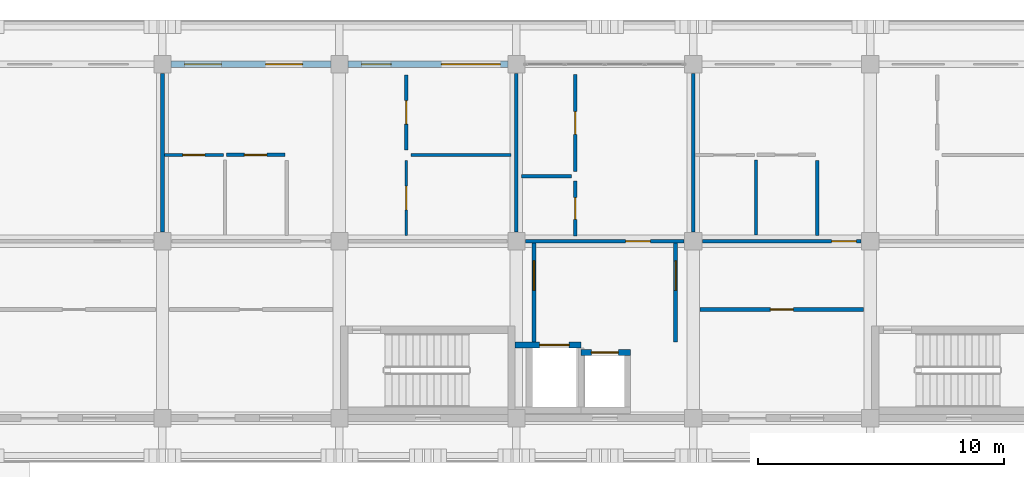
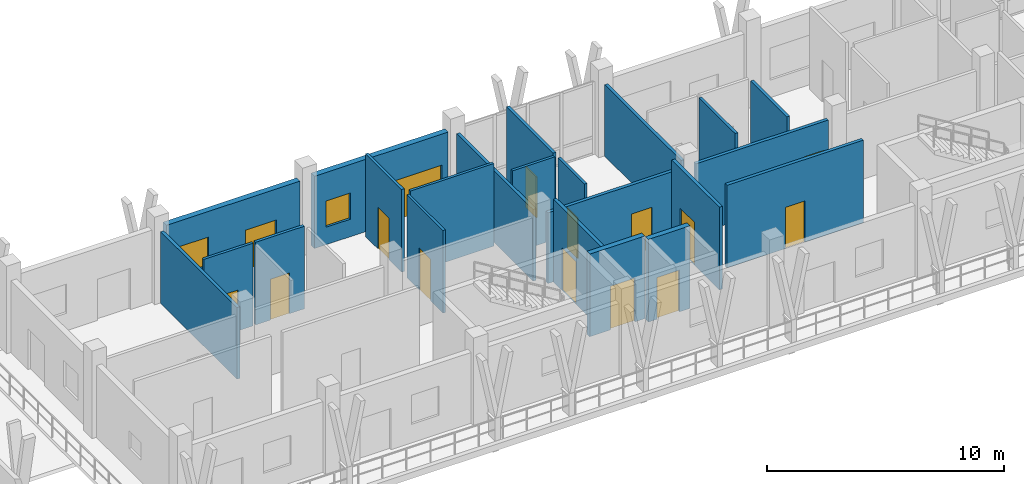
# One storey, part 88 of 110: 22 walls, 15 doors, 2 windows, 17 openings.
"""IFC4 building model written with IfcOpenShell, lengths in metres."""

from ifc_helpers import new_model, si_unit, direction, frame, frame_2d, origin, place, context, subcontext, project, spatial, rectangle, extrude, material, layer, layer_set, type_object, element, fill, save


model = new_model("IFC4")

# Units and contexts
model_context = context("Model", 3, precision=1e-05, world=origin(), true_north=direction((0.0, 1.0)))
body_context = subcontext(model_context, "Body", "Model", "MODEL_VIEW")
ifc_project = project(units=[si_unit("LENGTHUNIT", "METRE"), si_unit("AREAUNIT", "SQUARE_METRE"), si_unit("VOLUMEUNIT", "CUBIC_METRE"), si_unit("PLANEANGLEUNIT", "RADIAN"), si_unit("MASSUNIT", "GRAM", prefix="KILO")], contexts=[model_context])

# Site, building, storey
site_placement = place(None, origin())
site = spatial("IfcSite", under=ifc_project, at=site_placement, CompositionType="ELEMENT")
building_placement = place(site_placement, origin())
building = spatial("IfcBuilding", under=site, at=building_placement, Name="Suanplinth Sawtooth Commons", CompositionType="ELEMENT")
storey_placement = place(building_placement, frame((0.0, 0.0, 4.5)))
storey = spatial("IfcBuildingStorey", under=building, at=storey_placement, Name="L01", CompositionType="ELEMENT", Elevation=4.5)

# Wall, openings, door, window
ifc_material_1 = material(Name="Precast concrete C40/50", Category="concrete")
ifc_layer_1 = layer(ifc_material_1, 0.280029296875, Name="Insulated precast architectural facade wall 280mm")
ifc_layer_set_1 = layer_set([ifc_layer_1], Name="Precast concrete C40/50")
wall_type_1 = type_object("IfcWallType", Name="W-EX01", PredefinedType="ELEMENTEDWALL", material=ifc_layer_set_1)
wall_1_placement = place(storey_placement, frame((129.949951171875, 122.39990234375, 0.0), z_axis=(0.0, 0.0, 1.0), x_axis=(1.0, 0.0, 0.0)))
wall_1 = element("IfcWall", 1, at=wall_1_placement, inside=storey, type_object=wall_type_1, Name="Facade Wall W-L01-B-N-18-16", PredefinedType="ELEMENTEDWALL", context=body_context, shape_type="SweptSolid", body=[
    extrude(rectangle(XDim=6.5, YDim=0.280029296875, at=frame_2d((3.25, 0.0))), origin(), (0.0, 0.0, 1.0), 3.715087890625),
])
opening_1_placement = place(wall_1_placement, frame((3.85009765625, 0.0, 0.0)))
opening_1 = element("IfcOpeningElement", 2, at=opening_1_placement, cuts=wall_1, Name="Opening ED0069", PredefinedType="OPENING", context=body_context, shape_type="SweptSolid", body=[
    extrude(rectangle(XDim=1.5, YDim=2.1201171875, at=frame_2d((0.75, 1.06005859375))), frame((0.0, 0.15478515625, 0.0), z_axis=(0.0, -1.0, 0.0), x_axis=(1.0, 0.0, 0.0)), (0.0, 0.0, 1.0), 0.309814453125),
])
opening_2_placement = place(wall_1_placement, frame((0.550048828125, 0.0, 0.89990234375)))
opening_2 = element("IfcOpeningElement", 3, at=opening_2_placement, cuts=wall_1, Name="Opening W0191", PredefinedType="OPENING", context=body_context, shape_type="SweptSolid", body=[
    extrude(rectangle(XDim=1.5, YDim=1.5, at=frame_2d((0.75, 0.75))), frame((0.0, 0.15478515625, 0.0), z_axis=(0.0, -1.0, 0.0), x_axis=(1.0, 0.0, 0.0)), (0.0, 0.0, 1.0), 0.309814453125),
])
ifc_material_2 = material(Name="Anodized aluminium and low-E glass", Category="aluminium")
door_type_1 = type_object("IfcDoorType", Name="SD-03", OperationType="SLIDING_TO_LEFT", PredefinedType="DOOR", material=ifc_material_2)
door_1_placement = place(opening_1_placement, frame((1.5, 0.0, 0.0), z_axis=(0.0, 0.0, 1.0), x_axis=(-1.0, 0.0, 0.0)))
door_1 = element("IfcDoor", 4, at=door_1_placement, inside=storey, type_object=door_type_1, Name="Balcony Sliding Door L01-B-18", OperationType="SLIDING_TO_LEFT", OverallHeight=2.1201171875, OverallWidth=1.5, PredefinedType="DOOR", context=body_context, shape_type="SweptSolid", body=[
    extrude(rectangle(XDim=1.5, YDim=2.1201171875, at=frame_2d((0.75, 1.06005859375))), frame((0.0, 0.02490234375, 0.0), z_axis=(0.0, -1.0, 0.0), x_axis=(1.0, 0.0, 0.0)), (0.0, 0.0, 1.0), 0.050048828125),
])
fill(opening_1, door_1)
ifc_material_3 = material(Name="Thermally broken aluminium and low-E double glazing", Category="aluminium")
window_type_1 = type_object("IfcWindowType", Name="WN-02", PartitioningType="DOUBLE_PANEL_VERTICAL", PredefinedType="WINDOW", material=ifc_material_3)
window_1_placement = place(opening_2_placement, origin())
window_1 = element("IfcWindow", 5, at=window_1_placement, inside=storey, type_object=window_type_1, Name="Apartment Window L01-B-18", OverallHeight=1.5, OverallWidth=1.5, PartitioningType="DOUBLE_PANEL_VERTICAL", PredefinedType="WINDOW", context=body_context, shape_type="SweptSolid", body=[
    extrude(rectangle(XDim=1.5, YDim=1.5, at=frame_2d((0.75, 0.75))), frame((0.0, 0.030029296875, 0.0), z_axis=(0.0, -1.0, 0.0), x_axis=(1.0, 0.0, 0.0)), (0.0, 0.0, 1.0), 0.06005859375),
])
fill(opening_2, window_1)

wall_2_placement = place(storey_placement, frame((137.14990234375, 122.39990234375, 0.0), z_axis=(0.0, 0.0, 1.0), x_axis=(1.0, 0.0, 0.0)))
wall_2 = element("IfcWall", 6, at=wall_2_placement, inside=storey, type_object=wall_type_1, Name="Facade Wall W-L01-B-N-19-16", PredefinedType="ELEMENTEDWALL", context=body_context, shape_type="SweptSolid", body=[
    extrude(rectangle(XDim=6.5, YDim=0.280029296875, at=frame_2d((3.25, 0.0))), origin(), (0.0, 0.0, 1.0), 3.715087890625),
])
opening_3_placement = place(wall_2_placement, frame((3.800048828125, 0.0, 0.0)))
opening_3 = element("IfcOpeningElement", 7, at=opening_3_placement, cuts=wall_2, Name="Opening ED0070", PredefinedType="OPENING", context=body_context, shape_type="SweptSolid", body=[
    extrude(rectangle(XDim=2.39990234375, YDim=2.1201171875, at=frame_2d((1.199951171875, 1.06005859375))), frame((0.0, 0.15478515625, 0.0), z_axis=(0.0, -1.0, 0.0), x_axis=(1.0, 0.0, 0.0)), (0.0, 0.0, 1.0), 0.309814453125),
])
opening_4_placement = place(wall_2_placement, frame((0.550048828125, 0.0, 0.89990234375)))
opening_4 = element("IfcOpeningElement", 8, at=opening_4_placement, cuts=wall_2, Name="Opening W0193", PredefinedType="OPENING", context=body_context, shape_type="SweptSolid", body=[
    extrude(rectangle(XDim=1.199951171875, YDim=1.35009765625, at=frame_2d((0.60009765625, 0.675048828125))), frame((0.0, 0.15478515625, 0.0), z_axis=(0.0, -1.0, 0.0), x_axis=(1.0, 0.0, 0.0)), (0.0, 0.0, 1.0), 0.309814453125),
])
door_type_2 = type_object("IfcDoorType", Name="SD-04", OperationType="DOUBLE_DOOR_SLIDING", PredefinedType="DOOR", material=ifc_material_2)
door_2_placement = place(opening_3_placement, frame((2.39990234375, 0.0, 0.0), z_axis=(0.0, 0.0, 1.0), x_axis=(-1.0, 0.0, 0.0)))
door_2 = element("IfcDoor", 9, at=door_2_placement, inside=storey, type_object=door_type_2, Name="Balcony Sliding Door L01-B-19", OperationType="DOUBLE_DOOR_SLIDING", OverallHeight=2.1201171875, OverallWidth=2.39990234375, PredefinedType="DOOR", context=body_context, shape_type="SweptSolid", body=[
    extrude(rectangle(XDim=2.39990234375, YDim=2.1201171875, at=frame_2d((1.199951171875, 1.06005859375))), frame((0.0, 0.02490234375, 0.0), z_axis=(0.0, -1.0, 0.0), x_axis=(1.0, 0.0, 0.0)), (0.0, 0.0, 1.0), 0.050048828125),
])
fill(opening_3, door_2)
window_type_2 = type_object("IfcWindowType", Name="WN-03", PartitioningType="SINGLE_PANEL", PredefinedType="WINDOW", material=ifc_material_3)
window_2_placement = place(opening_4_placement, origin())
window_2 = element("IfcWindow", 10, at=window_2_placement, inside=storey, type_object=window_type_2, Name="Apartment Window L01-B-19", OverallHeight=1.35009765625, OverallWidth=1.199951171875, PartitioningType="SINGLE_PANEL", PredefinedType="WINDOW", context=body_context, shape_type="SweptSolid", body=[
    extrude(rectangle(XDim=1.199951171875, YDim=1.35009765625, at=frame_2d((0.60009765625, 0.675048828125))), frame((0.0, 0.030029296875, 0.0), z_axis=(0.0, -1.0, 0.0), x_axis=(1.0, 0.0, 0.0)), (0.0, 0.0, 1.0), 0.06005859375),
])
fill(opening_4, window_2)

# Wall, opening, door
ifc_layer_2 = layer(ifc_material_1, 0.159912109375, Name="Fire-rated corridor and lobby wall 160mm")
ifc_layer_set_2 = layer_set([ifc_layer_2], Name="Precast concrete C40/50")
wall_type_2 = type_object("IfcWallType", Name="W-FW01", PredefinedType="PARTITIONING", material=ifc_layer_set_2)
wall_3_placement = place(storey_placement, frame((144.719970703125, 111.10009765625, 0.0), z_axis=(0.0, 0.0, 1.0), x_axis=(0.0, 1.0, 0.0)))
wall_3 = element("IfcWall", 11, at=wall_3_placement, inside=storey, type_object=wall_type_2, Name="W-L01-C-B1-LOB-W", PredefinedType="PARTITIONING", context=body_context, shape_type="SweptSolid", body=[
    extrude(rectangle(XDim=4.02001953125, YDim=0.159912109375, at=frame_2d((2.010009765625, 0.0))), origin(), (0.0, 0.0, 1.0), 4.25),
])
opening_5_placement = place(wall_3_placement, frame((2.10009765625, 0.0, 0.0)))
opening_5 = element("IfcOpeningElement", 12, at=opening_5_placement, cuts=wall_3, Name="Opening FD0165", PredefinedType="OPENING", context=body_context, shape_type="SweptSolid", body=[
    extrude(rectangle(XDim=1.199951171875, YDim=2.199951171875, at=frame_2d((0.60009765625, 1.10009765625))), frame((0.0, 0.0947265625, 0.0), z_axis=(0.0, -1.0, 0.0), x_axis=(1.0, 0.0, 0.0)), (0.0, 0.0, 1.0), 0.189697265625),
])
ifc_material_4 = material(Name="Teak hardwood fire-rated door assembly", Category="wood")
door_type_3 = type_object("IfcDoorType", Name="FD-02", OperationType="NOTDEFINED", PredefinedType="DOOR", material=ifc_material_4)
door_3_placement = place(opening_5_placement, origin())
door_3 = element("IfcDoor", 13, at=door_3_placement, inside=storey, type_object=door_type_3, Name="Lobby Fire Door FD0165", OperationType="SINGLE_SWING_LEFT", OverallHeight=2.199951171875, OverallWidth=1.199951171875, PredefinedType="DOOR", context=body_context, shape_type="SweptSolid", body=[
    extrude(rectangle(XDim=1.199951171875, YDim=2.199951171875, at=frame_2d((0.60009765625, 1.10009765625))), frame((0.0, 0.02490234375, 0.0), z_axis=(0.0, -1.0, 0.0), x_axis=(1.0, 0.0, 0.0)), (0.0, 0.0, 1.0), 0.050048828125),
])
fill(opening_5, door_3)

wall_4_placement = place(storey_placement, frame((150.47998046875, 111.10009765625, 0.0), z_axis=(0.0, 0.0, 1.0), x_axis=(0.0, 1.0, 0.0)))
wall_4 = element("IfcWall", 14, at=wall_4_placement, inside=storey, type_object=wall_type_2, Name="W-L01-C-B1-LOB-E", PredefinedType="PARTITIONING", context=body_context, shape_type="SweptSolid", body=[
    extrude(rectangle(XDim=4.02001953125, YDim=0.159912109375, at=frame_2d((2.010009765625, 0.0))), origin(), (0.0, 0.0, 1.0), 4.25),
])
opening_6_placement = place(wall_4_placement, frame((2.10009765625, 0.0, 0.0)))
opening_6 = element("IfcOpeningElement", 15, at=opening_6_placement, cuts=wall_4, Name="Opening FD0166", PredefinedType="OPENING", context=body_context, shape_type="SweptSolid", body=[
    extrude(rectangle(XDim=1.199951171875, YDim=2.199951171875, at=frame_2d((0.60009765625, 1.10009765625))), frame((0.0, 0.0947265625, 0.0), z_axis=(0.0, -1.0, 0.0), x_axis=(1.0, 0.0, 0.0)), (0.0, 0.0, 1.0), 0.189697265625),
])
door_4_placement = place(opening_6_placement, frame((1.199951171875, 0.0, 0.0), z_axis=(0.0, 0.0, 1.0), x_axis=(-1.0, 0.0, 0.0)))
door_4 = element("IfcDoor", 16, at=door_4_placement, inside=storey, type_object=door_type_3, Name="Lobby Fire Door FD0166", OperationType="SINGLE_SWING_RIGHT", OverallHeight=2.199951171875, OverallWidth=1.199951171875, PredefinedType="DOOR", context=body_context, shape_type="SweptSolid", body=[
    extrude(rectangle(XDim=1.199951171875, YDim=2.199951171875, at=frame_2d((0.60009765625, 1.10009765625))), frame((0.0, 0.02490234375, 0.0), z_axis=(0.0, -1.0, 0.0), x_axis=(1.0, 0.0, 0.0)), (0.0, 0.0, 1.0), 0.050048828125),
])
fill(opening_6, door_4)

wall_5_placement = place(storey_placement, frame((144.3798828125, 115.199951171875, 0.0), z_axis=(0.0, 0.0, 1.0), x_axis=(1.0, 0.0, 0.0)))
wall_5 = element("IfcWall", 17, at=wall_5_placement, inside=storey, type_object=wall_type_2, Name="W-B-L01-U03-COR", PredefinedType="PARTITIONING", context=body_context, shape_type="SweptSolid", body=[
    extrude(rectangle(XDim=6.440185546875, YDim=0.159912109375, at=frame_2d((3.22021484375, 0.0))), origin(), (0.0, 0.0, 1.0), 3.635009765625),
])
opening_7_placement = place(wall_5_placement, frame((4.070068359375, 0.0, 0.0)))
opening_7 = element("IfcOpeningElement", 18, at=opening_7_placement, cuts=wall_5, Name="Opening FD0585", PredefinedType="OPENING", context=body_context, shape_type="SweptSolid", body=[
    extrude(rectangle(XDim=1.0, YDim=2.14990234375, at=frame_2d((0.5, 1.074951171875))), frame((0.0, 0.0947265625, 0.0), z_axis=(0.0, -1.0, 0.0), x_axis=(1.0, 0.0, 0.0)), (0.0, 0.0, 1.0), 0.189697265625),
])
door_type_4 = type_object("IfcDoorType", Name="FD-03", OperationType="NOTDEFINED", PredefinedType="DOOR", material=ifc_material_4)
door_5_placement = place(opening_7_placement, origin())
door_5 = element("IfcDoor", 19, at=door_5_placement, inside=storey, type_object=door_type_4, Name="Unit Entrance Door FD0585", OperationType="SINGLE_SWING_LEFT", OverallHeight=2.14990234375, OverallWidth=1.0, PredefinedType="DOOR", context=body_context, shape_type="SweptSolid", body=[
    extrude(rectangle(XDim=1.0, YDim=2.14990234375, at=frame_2d((0.5, 1.074951171875))), frame((0.0, 0.02490234375, 0.0), z_axis=(0.0, -1.0, 0.0), x_axis=(1.0, 0.0, 0.0)), (0.0, 0.0, 1.0), 0.050048828125),
])
fill(opening_7, door_5)

wall_6_placement = place(storey_placement, frame((151.580078125, 115.199951171875, 0.0), z_axis=(0.0, 0.0, 1.0), x_axis=(1.0, 0.0, 0.0)))
wall_6 = element("IfcWall", 20, at=wall_6_placement, inside=storey, type_object=wall_type_2, Name="W-B-L01-U04-COR-S1", PredefinedType="PARTITIONING", context=body_context, shape_type="SweptSolid", body=[
    extrude(rectangle(XDim=6.43994140625, YDim=0.159912109375, at=frame_2d((3.219970703125, 0.0))), origin(), (0.0, 0.0, 1.0), 3.635009765625),
])
opening_8_placement = place(wall_6_placement, frame((5.25, 0.0, 0.0)))
opening_8 = element("IfcOpeningElement", 21, at=opening_8_placement, cuts=wall_6, Name="Opening FD0588", PredefinedType="OPENING", context=body_context, shape_type="SweptSolid", body=[
    extrude(rectangle(XDim=1.0, YDim=2.14990234375, at=frame_2d((0.5, 1.074951171875))), frame((0.0, 0.0947265625, 0.0), z_axis=(0.0, -1.0, 0.0), x_axis=(1.0, 0.0, 0.0)), (0.0, 0.0, 1.0), 0.189697265625),
])
door_6_placement = place(opening_8_placement, origin())
door_6 = element("IfcDoor", 22, at=door_6_placement, inside=storey, type_object=door_type_4, Name="Unit Entrance Door FD0588", OperationType="SINGLE_SWING_RIGHT", OverallHeight=2.14990234375, OverallWidth=1.0, PredefinedType="DOOR", context=body_context, shape_type="SweptSolid", body=[
    extrude(rectangle(XDim=1.0, YDim=2.14990234375, at=frame_2d((0.5, 1.074951171875))), frame((0.0, 0.02490234375, 0.0), z_axis=(0.0, -1.0, 0.0), x_axis=(1.0, 0.0, 0.0)), (0.0, 0.0, 1.0), 0.050048828125),
])
fill(opening_8, door_6)

wall_7_placement = place(storey_placement, frame((151.47998046875, 112.419921875, 0.0), z_axis=(0.0, 0.0, 1.0), x_axis=(1.0, 0.0, 0.0)))
wall_7 = element("IfcWall", 23, at=wall_7_placement, inside=storey, type_object=wall_type_2, Name="W-B-L01-COURTROOM-33-COR", PredefinedType="PARTITIONING", context=body_context, shape_type="SweptSolid", body=[
    extrude(rectangle(XDim=6.64013671875, YDim=0.159912109375, at=frame_2d((3.320068359375, 0.0))), origin(), (0.0, 0.0, 1.0), 4.25),
])
opening_9_placement = place(wall_7_placement, frame((2.85009765625, 0.0, 0.0)))
opening_9 = element("IfcOpeningElement", 24, at=opening_9_placement, cuts=wall_7, Name="Opening D0603", PredefinedType="OPENING", context=body_context, shape_type="SweptSolid", body=[
    extrude(rectangle(XDim=0.93994140625, YDim=2.1201171875, at=frame_2d((0.469970703125, 1.06005859375))), frame((0.0, 0.0947265625, 0.0), z_axis=(0.0, -1.0, 0.0), x_axis=(1.0, 0.0, 0.0)), (0.0, 0.0, 1.0), 0.189697265625),
])
ifc_material_5 = material(Name="Teak hardwood", Category="wood")
door_type_5 = type_object("IfcDoorType", Name="D-15", OperationType="NOTDEFINED", PredefinedType="DOOR", material=ifc_material_5)
door_7_placement = place(opening_9_placement, frame((0.93994140625, 0.0, 0.0), z_axis=(0.0, 0.0, 1.0), x_axis=(-1.0, 0.0, 0.0)))
door_7 = element("IfcDoor", 25, at=door_7_placement, inside=storey, type_object=door_type_5, Name="Study Studio Door D0603", OperationType="SINGLE_SWING_LEFT", OverallHeight=2.1201171875, OverallWidth=0.93994140625, PredefinedType="DOOR", context=body_context, shape_type="SweptSolid", body=[
    extrude(rectangle(XDim=0.93994140625, YDim=2.1201171875, at=frame_2d((0.469970703125, 1.06005859375))), frame((0.0, 0.02490234375, 0.0), z_axis=(0.0, -1.0, 0.0), x_axis=(1.0, 0.0, 0.0)), (0.0, 0.0, 1.0), 0.050048828125),
])
fill(opening_9, door_7)

# Walls
ifc_layer_3 = layer(ifc_material_1, 0.14990234375, Name="Acoustic precast party demising wall 150mm")
ifc_layer_set_3 = layer_set([ifc_layer_3], Name="Precast concrete C40/50")
wall_type_3 = type_object("IfcWallType", Name="W-FW02", PredefinedType="PARTITIONING", material=ifc_layer_set_3)
for number, where, z_axis, x_axis, name in (
    (26, (129.60009765625, 115.580078125, 0.0), (0.0, 0.0, 1.0), (0.0, 1.0, 0.0), "W-B-L01-U01-PTY"),
    (27, (144.0, 115.580078125, 0.0), (0.0, 0.0, 1.0), (0.0, 1.0, 0.0), "W-B-L01-U02-PTY"),
    (28, (151.199951171875, 115.580078125, 0.0), (0.0, 0.0, 1.0), (0.0, 1.0, 0.0), "W-B-L01-U03-PTY"),
):
    element("IfcWall", number, at=place(storey_placement, frame(where, z_axis=z_axis, x_axis=x_axis)), inside=storey, type_object=wall_type_3, Name=name, PredefinedType="PARTITIONING", context=body_context, shape_type="SweptSolid", body=[
        extrude(rectangle(XDim=6.43994140625, YDim=0.14990234375, at=frame_2d((3.219970703125, 0.0))), origin(), (0.0, 0.0, 1.0), 3.68505859375),
    ])

# Wall, opening, door
ifc_material_6 = material(Name="Gypsum plasterboard on steel stud", Category="steel")
ifc_layer_4 = layer(ifc_material_6, 0.139892578125, Name="Fire-rated kitchen partition 140mm")
ifc_layer_set_4 = layer_set([ifc_layer_4], Name="Gypsum plasterboard on steel stud")
wall_type_4 = type_object("IfcWallType", Name="W-PT01", PredefinedType="PARTITIONING", material=ifc_layer_set_4)
wall_8_placement = place(storey_placement, frame((132.199951171875, 118.7099609375, 0.0), z_axis=(0.0, 0.0, 1.0), x_axis=(1.0, 0.0, 0.0)))
wall_8 = element("IfcWall", 29, at=wall_8_placement, inside=storey, type_object=wall_type_4, Name="W-B-L01-U02-KIT1", PredefinedType="PARTITIONING", context=body_context, shape_type="SweptSolid", body=[
    extrude(rectangle(XDim=2.380126953125, YDim=0.139892578125, at=frame_2d((1.18994140625, 0.0))), origin(), (0.0, 0.0, 1.0), 4.25),
])
opening_10_placement = place(wall_8_placement, frame((0.72998046875, 0.0, 0.0)))
opening_10 = element("IfcOpeningElement", 30, at=opening_10_placement, cuts=wall_8, Name="Opening D0582", PredefinedType="OPENING", context=body_context, shape_type="SweptSolid", body=[
    extrude(rectangle(XDim=0.919921875, YDim=2.10009765625, at=frame_2d((0.4599609375, 1.050048828125))), frame((0.0, 0.0849609375, 0.0), z_axis=(0.0, -1.0, 0.0), x_axis=(1.0, 0.0, 0.0)), (0.0, 0.0, 1.0), 0.169677734375),
])
door_type_6 = type_object("IfcDoorType", Name="D-02", OperationType="NOTDEFINED", PredefinedType="DOOR", material=ifc_material_5)
door_8_placement = place(opening_10_placement, frame((0.919921875, 0.0, 0.0), z_axis=(0.0, 0.0, 1.0), x_axis=(-1.0, 0.0, 0.0)))
door_8 = element("IfcDoor", 31, at=door_8_placement, inside=storey, type_object=door_type_6, Name="Kitchen Door D0582", OperationType="SINGLE_SWING_RIGHT", OverallHeight=2.10009765625, OverallWidth=0.919921875, PredefinedType="DOOR", context=body_context, shape_type="SweptSolid", body=[
    extrude(rectangle(XDim=0.919921875, YDim=2.10009765625, at=frame_2d((0.4599609375, 1.050048828125))), frame((0.0, 0.02490234375, 0.0), z_axis=(0.0, -1.0, 0.0), x_axis=(1.0, 0.0, 0.0)), (0.0, 0.0, 1.0), 0.050048828125),
])
fill(opening_10, door_8)

wall_9_placement = place(storey_placement, frame((146.39501953125, 118.0400390625, 0.0), z_axis=(0.0, 0.0, 1.0), x_axis=(0.0, 1.0, 0.0)))
wall_9 = element("IfcWall", 32, at=wall_9_placement, inside=storey, type_object=wall_type_4, Name="W-B-L01-U03-KITE", PredefinedType="PARTITIONING", context=body_context, shape_type="SweptSolid", body=[
    extrude(rectangle(XDim=3.93994140625, YDim=0.139892578125, at=frame_2d((1.969970703125, 0.0))), origin(), (0.0, 0.0, 1.0), 4.25),
])
opening_11_placement = place(wall_9_placement, frame((1.510009765625, 0.0, 0.0)))
opening_11 = element("IfcOpeningElement", 33, at=opening_11_placement, cuts=wall_9, Name="Opening D0587", PredefinedType="OPENING", context=body_context, shape_type="SweptSolid", body=[
    extrude(rectangle(XDim=0.919921875, YDim=2.10009765625, at=frame_2d((0.4599609375, 1.050048828125))), frame((0.0, 0.0849609375, 0.0), z_axis=(0.0, -1.0, 0.0), x_axis=(1.0, 0.0, 0.0)), (0.0, 0.0, 1.0), 0.169677734375),
])
door_9_placement = place(opening_11_placement, origin())
door_9 = element("IfcDoor", 34, at=door_9_placement, inside=storey, type_object=door_type_6, Name="Kitchen Door D0587", OperationType="SINGLE_SWING_LEFT", OverallHeight=2.10009765625, OverallWidth=0.919921875, PredefinedType="DOOR", context=body_context, shape_type="SweptSolid", body=[
    extrude(rectangle(XDim=0.919921875, YDim=2.10009765625, at=frame_2d((0.4599609375, 1.050048828125))), frame((0.0, 0.02490234375, 0.0), z_axis=(0.0, -1.0, 0.0), x_axis=(1.0, 0.0, 0.0)), (0.0, 0.0, 1.0), 0.050048828125),
])
fill(opening_11, door_9)

# Wall
wall_10_placement = place(storey_placement, frame((156.25, 115.429931640625, 0.0), z_axis=(0.0, 0.0, 1.0), x_axis=(0.0, 1.0, 0.0)))
element("IfcWall", 35, at=wall_10_placement, inside=storey, type_object=wall_type_4, Name="W-B-L01-U04-KIT2", PredefinedType="PARTITIONING", context=body_context, shape_type="SweptSolid", body=[
    extrude(rectangle(XDim=3.06005859375, YDim=0.139892578125, at=frame_2d((1.530029296875, 0.0))), origin(), (0.0, 0.0, 1.0), 4.25),
])

# Wall, opening, door
ifc_layer_5 = layer(ifc_material_6, 0.1298828125, Name="Moisture-resistant bathroom partition 130mm")
ifc_layer_set_5 = layer_set([ifc_layer_5], Name="Gypsum plasterboard on steel stud")
wall_type_5 = type_object("IfcWallType", Name="W-PT02", PredefinedType="PARTITIONING", material=ifc_layer_set_5)
wall_11_placement = place(storey_placement, frame((129.679931640625, 118.705078125, 0.0), z_axis=(0.0, 0.0, 1.0), x_axis=(1.0, 0.0, 0.0)))
wall_11 = element("IfcWall", 36, at=wall_11_placement, inside=storey, type_object=wall_type_5, Name="W-B-L01-U02-BTH1", PredefinedType="PARTITIONING", context=body_context, shape_type="SweptSolid", body=[
    extrude(rectangle(XDim=2.400146484375, YDim=0.1298828125, at=frame_2d((1.2001953125, 0.0))), origin(), (0.0, 0.0, 1.0), 4.25),
])
opening_12_placement = place(wall_11_placement, frame((0.75, 0.0, 0.0)))
opening_12 = element("IfcOpeningElement", 37, at=opening_12_placement, cuts=wall_11, Name="Opening D0581", PredefinedType="OPENING", context=body_context, shape_type="SweptSolid", body=[
    extrude(rectangle(XDim=0.89990234375, YDim=2.10009765625, at=frame_2d((0.449951171875, 1.050048828125))), frame((0.0, 0.079833984375, 0.0), z_axis=(0.0, -1.0, 0.0), x_axis=(1.0, 0.0, 0.0)), (0.0, 0.0, 1.0), 0.15966796875),
])
door_type_7 = type_object("IfcDoorType", Name="D-01", OperationType="NOTDEFINED", PredefinedType="DOOR", material=ifc_material_5)
door_10_placement = place(opening_12_placement, frame((0.89990234375, 0.0, 0.0), z_axis=(0.0, 0.0, 1.0), x_axis=(-1.0, 0.0, 0.0)))
door_10 = element("IfcDoor", 38, at=door_10_placement, inside=storey, type_object=door_type_7, Name="Bathroom Door D0581", OperationType="SINGLE_SWING_LEFT", OverallHeight=2.10009765625, OverallWidth=0.89990234375, PredefinedType="DOOR", context=body_context, shape_type="SweptSolid", body=[
    extrude(rectangle(XDim=0.89990234375, YDim=2.10009765625, at=frame_2d((0.449951171875, 1.050048828125))), frame((0.0, 0.02490234375, 0.0), z_axis=(0.0, -1.0, 0.0), x_axis=(1.0, 0.0, 0.0)), (0.0, 0.0, 1.0), 0.050048828125),
])
fill(opening_12, door_10)

# Wall
wall_12_placement = place(storey_placement, frame((144.199951171875, 117.840087890625, 0.0), z_axis=(0.0, 0.0, 1.0), x_axis=(1.0, 0.0, 0.0)))
element("IfcWall", 39, at=wall_12_placement, inside=storey, type_object=wall_type_5, Name="W-B-L01-U03-STDIV", PredefinedType="PARTITIONING", context=body_context, shape_type="SweptSolid", body=[
    extrude(rectangle(XDim=2.050048828125, YDim=0.1298828125, at=frame_2d((1.02490234375, 0.0))), origin(), (0.0, 0.0, 1.0), 4.25),
])

# Wall, opening, door
wall_13_placement = place(storey_placement, frame((146.39501953125, 115.419921875, 0.0), z_axis=(0.0, 0.0, 1.0), x_axis=(0.0, 1.0, 0.0)))
wall_13 = element("IfcWall", 40, at=wall_13_placement, inside=storey, type_object=wall_type_5, Name="W-B-L01-U03-BTHE", PredefinedType="PARTITIONING", context=body_context, shape_type="SweptSolid", body=[
    extrude(rectangle(XDim=2.219970703125, YDim=0.1298828125, at=frame_2d((1.10986328125, 0.0))), origin(), (0.0, 0.0, 1.0), 4.25),
])
opening_13_placement = place(wall_13_placement, frame((0.669921875, 0.0, 0.0)))
opening_13 = element("IfcOpeningElement", 41, at=opening_13_placement, cuts=wall_13, Name="Opening D0586", PredefinedType="OPENING", context=body_context, shape_type="SweptSolid", body=[
    extrude(rectangle(XDim=0.8798828125, YDim=2.10009765625, at=frame_2d((0.43994140625, 1.050048828125))), frame((0.0, 0.079833984375, 0.0), z_axis=(0.0, -1.0, 0.0), x_axis=(1.0, 0.0, 0.0)), (0.0, 0.0, 1.0), 0.15966796875),
])
door_type_8 = type_object("IfcDoorType", Name="D-14", OperationType="NOTDEFINED", PredefinedType="DOOR", material=ifc_material_5)
door_11_placement = place(opening_13_placement, origin())
door_11 = element("IfcDoor", 42, at=door_11_placement, inside=storey, type_object=door_type_8, Name="Bathroom Door D0586", OperationType="SINGLE_SWING_RIGHT", OverallHeight=2.10009765625, OverallWidth=0.8798828125, PredefinedType="DOOR", context=body_context, shape_type="SweptSolid", body=[
    extrude(rectangle(XDim=0.8798828125, YDim=2.10009765625, at=frame_2d((0.43994140625, 1.050048828125))), frame((0.0, 0.02490234375, 0.0), z_axis=(0.0, -1.0, 0.0), x_axis=(1.0, 0.0, 0.0)), (0.0, 0.0, 1.0), 0.050048828125),
])
fill(opening_13, door_11)

# Wall
wall_14_placement = place(storey_placement, frame((153.7451171875, 115.4599609375, 0.0), z_axis=(0.0, 0.0, 1.0), x_axis=(0.0, 1.0, 0.0)))
element("IfcWall", 43, at=wall_14_placement, inside=storey, type_object=wall_type_5, Name="W-B-L01-U04-BTH2", PredefinedType="PARTITIONING", context=body_context, shape_type="SweptSolid", body=[
    extrude(rectangle(XDim=3.0400390625, YDim=0.1298828125, at=frame_2d((1.52001953125, 0.0))), origin(), (0.0, 0.0, 1.0), 4.25),
])

# Wall, opening, door
ifc_layer_6 = layer(ifc_material_6, 0.1201171875, Name="Acoustic bedroom partition 120mm")
ifc_layer_set_6 = layer_set([ifc_layer_6], Name="Gypsum plasterboard on steel stud")
wall_type_6 = type_object("IfcWallType", Name="W-PT03", PredefinedType="PARTITIONING", material=ifc_layer_set_6)
wall_15_placement = place(storey_placement, frame((139.52001953125, 115.43994140625, 0.0), z_axis=(0.0, 0.0, 1.0), x_axis=(0.0, 1.0, 0.0)))
wall_15 = element("IfcWall", 44, at=wall_15_placement, inside=storey, type_object=wall_type_6, Name="W-B-L01-U02-BED2", PredefinedType="PARTITIONING", context=body_context, shape_type="SweptSolid", body=[
    extrude(rectangle(XDim=3.0400390625, YDim=0.1201171875, at=frame_2d((1.52001953125, 0.0))), origin(), (0.0, 0.0, 1.0), 4.25),
])
opening_14_placement = place(wall_15_placement, frame((1.0400390625, 0.0, 0.0)))
opening_14 = element("IfcOpeningElement", 45, at=opening_14_placement, cuts=wall_15, Name="Opening D0584", PredefinedType="OPENING", context=body_context, shape_type="SweptSolid", body=[
    extrude(rectangle(XDim=0.9599609375, YDim=2.14990234375, at=frame_2d((0.47998046875, 1.074951171875))), frame((0.0, 0.074951171875, 0.0), z_axis=(0.0, -1.0, 0.0), x_axis=(1.0, 0.0, 0.0)), (0.0, 0.0, 1.0), 0.14990234375),
])
door_type_9 = type_object("IfcDoorType", Name="D-13", OperationType="NOTDEFINED", PredefinedType="DOOR", material=ifc_material_5)
door_12_placement = place(opening_14_placement, frame((0.9599609375, 0.0, 0.0), z_axis=(0.0, 0.0, 1.0), x_axis=(-1.0, 0.0, 0.0)))
door_12 = element("IfcDoor", 46, at=door_12_placement, inside=storey, type_object=door_type_9, Name="Second Bedroom Door D0584", OperationType="SINGLE_SWING_RIGHT", OverallHeight=2.14990234375, OverallWidth=0.9599609375, PredefinedType="DOOR", context=body_context, shape_type="SweptSolid", body=[
    extrude(rectangle(XDim=0.9599609375, YDim=2.14990234375, at=frame_2d((0.47998046875, 1.074951171875))), frame((0.0, 0.02490234375, 0.0), z_axis=(0.0, -1.0, 0.0), x_axis=(1.0, 0.0, 0.0)), (0.0, 0.0, 1.0), 0.050048828125),
])
fill(opening_14, door_12)

# Wall
ifc_layer_7 = layer(ifc_material_6, 0.125, Name="Acoustic study partition 125mm")
ifc_layer_set_7 = layer_set([ifc_layer_7], Name="Gypsum plasterboard on steel stud")
wall_type_7 = type_object("IfcWallType", Name="W-PT06", PredefinedType="PARTITIONING", material=ifc_layer_set_7)
wall_16_placement = place(storey_placement, frame((139.719970703125, 118.699951171875, 0.0), z_axis=(0.0, 0.0, 1.0), x_axis=(1.0, 0.0, 0.0)))
element("IfcWall", 47, at=wall_16_placement, inside=storey, type_object=wall_type_7, Name="W-B-L01-U02-BEDDIV", PredefinedType="PARTITIONING", context=body_context, shape_type="SweptSolid", body=[
    extrude(rectangle(XDim=4.06005859375, YDim=0.125, at=frame_2d((2.030029296875, 0.0))), origin(), (0.0, 0.0, 1.0), 4.25),
])

# Wall, opening, door
ifc_layer_8 = layer(ifc_material_6, 0.135009765625, Name="Insulated bedroom demising partition 135mm")
ifc_layer_set_8 = layer_set([ifc_layer_8], Name="Gypsum plasterboard on steel stud")
wall_type_8 = type_object("IfcWallType", Name="W-PT07", PredefinedType="PARTITIONING", material=ifc_layer_set_8)
wall_17_placement = place(storey_placement, frame((139.52001953125, 118.919921875, 0.0), z_axis=(0.0, 0.0, 1.0), x_axis=(0.0, 1.0, 0.0)))
wall_17 = element("IfcWall", 48, at=wall_17_placement, inside=storey, type_object=wall_type_8, Name="W-B-L01-U02-BED1", PredefinedType="PARTITIONING", context=body_context, shape_type="SweptSolid", body=[
    extrude(rectangle(XDim=3.0400390625, YDim=0.135009765625, at=frame_2d((1.52001953125, 0.0))), origin(), (0.0, 0.0, 1.0), 4.25),
])
opening_15_placement = place(wall_17_placement, frame((1.044921875, 0.0, 0.0)))
opening_15 = element("IfcOpeningElement", 49, at=opening_15_placement, cuts=wall_17, Name="Opening D0583", PredefinedType="OPENING", context=body_context, shape_type="SweptSolid", body=[
    extrude(rectangle(XDim=0.949951171875, YDim=2.14990234375, at=frame_2d((0.47509765625, 1.074951171875))), frame((0.0, 0.08251953125, 0.0), z_axis=(0.0, -1.0, 0.0), x_axis=(1.0, 0.0, 0.0)), (0.0, 0.0, 1.0), 0.164794921875),
])
door_type_10 = type_object("IfcDoorType", Name="D-03", OperationType="NOTDEFINED", PredefinedType="DOOR", material=ifc_material_5)
door_13_placement = place(opening_15_placement, frame((0.949951171875, 0.0, 0.0), z_axis=(0.0, 0.0, 1.0), x_axis=(-1.0, 0.0, 0.0)))
door_13 = element("IfcDoor", 50, at=door_13_placement, inside=storey, type_object=door_type_10, Name="Bedroom Door D0583", OperationType="SINGLE_SWING_LEFT", OverallHeight=2.14990234375, OverallWidth=0.949951171875, PredefinedType="DOOR", context=body_context, shape_type="SweptSolid", body=[
    extrude(rectangle(XDim=0.949951171875, YDim=2.14990234375, at=frame_2d((0.47509765625, 1.074951171875))), frame((0.0, 0.02490234375, 0.0), z_axis=(0.0, -1.0, 0.0), x_axis=(1.0, 0.0, 0.0)), (0.0, 0.0, 1.0), 0.050048828125),
])
fill(opening_15, door_13)

ifc_layer_9 = layer(ifc_material_1, 0.25, Name="Precast structural shear wall 250mm")
ifc_layer_set_9 = layer_set([ifc_layer_9], Name="Precast concrete C40/50")
wall_type_9 = type_object("IfcWallType", Name="W-SH01", PredefinedType="SHEAR", material=ifc_layer_set_9)
wall_18_placement = place(storey_placement, frame((143.949951171875, 110.97509765625, 0.0), z_axis=(0.0, 0.0, 1.0), x_axis=(1.0, 0.0, 0.0)))
wall_18 = element("IfcWall", 51, at=wall_18_placement, inside=storey, type_object=wall_type_9, Name="W-L01-FL2-N", PredefinedType="SHEAR", context=body_context, shape_type="SweptSolid", body=[
    extrude(rectangle(XDim=2.675048828125, YDim=0.25, at=frame_2d((1.33740234375, 0.0))), origin(), (0.0, 0.0, 1.0), 4.25),
])
opening_16_placement = place(wall_18_placement, frame((1.0, 0.0, 0.0)))
opening_16 = element("IfcOpeningElement", 52, at=opening_16_placement, cuts=wall_18, Name="Opening LD0167", PredefinedType="OPENING", context=body_context, shape_type="SweptSolid", body=[
    extrude(rectangle(XDim=1.199951171875, YDim=2.25, at=frame_2d((0.60009765625, 1.125))), frame((0.0, 0.139892578125, 0.0), z_axis=(0.0, -1.0, 0.0), x_axis=(1.0, 0.0, 0.0)), (0.0, 0.0, 1.0), 0.27978515625),
])
ifc_material_7 = material(Name="Stainless steel Grade 304", Category="steel")
door_type_11 = type_object("IfcDoorType", Name="LD-02", OperationType="SLIDING_TO_LEFT", PredefinedType="DOOR", material=ifc_material_7)
door_14_placement = place(opening_16_placement, origin())
door_14 = element("IfcDoor", 53, at=door_14_placement, inside=storey, type_object=door_type_11, Name="Lift Landing Sliding Door FL2 L01", OperationType="SLIDING_TO_LEFT", OverallHeight=2.25, OverallWidth=1.199951171875, PredefinedType="DOOR", context=body_context, shape_type="SweptSolid", body=[
    extrude(rectangle(XDim=1.199951171875, YDim=2.25, at=frame_2d((0.60009765625, 1.125))), frame((0.0, 0.02490234375, 0.0), z_axis=(0.0, -1.0, 0.0), x_axis=(1.0, 0.0, 0.0)), (0.0, 0.0, 1.0), 0.050048828125),
])
fill(opening_16, door_14)

wall_19_placement = place(storey_placement, frame((146.625, 110.675048828125, 0.0), z_axis=(0.0, 0.0, 1.0), x_axis=(1.0, 0.0, 0.0)))
wall_19 = element("IfcWall", 54, at=wall_19_placement, inside=storey, type_object=wall_type_9, Name="W-L01-LF3-N", PredefinedType="SHEAR", context=body_context, shape_type="SweptSolid", body=[
    extrude(rectangle(XDim=2.02490234375, YDim=0.25, at=frame_2d((1.012451171875, 0.0))), origin(), (0.0, 0.0, 1.0), 4.25),
])
opening_17_placement = place(wall_19_placement, frame((0.425048828125, 0.0, 0.0)))
opening_17 = element("IfcOpeningElement", 55, at=opening_17_placement, cuts=wall_19, Name="Opening LD0168", PredefinedType="OPENING", context=body_context, shape_type="SweptSolid", body=[
    extrude(rectangle(XDim=1.10009765625, YDim=2.14990234375, at=frame_2d((0.550048828125, 1.074951171875))), frame((0.0, 0.139892578125, 0.0), z_axis=(0.0, -1.0, 0.0), x_axis=(1.0, 0.0, 0.0)), (0.0, 0.0, 1.0), 0.27978515625),
])
door_type_12 = type_object("IfcDoorType", Name="LD-01", OperationType="SLIDING_TO_LEFT", PredefinedType="DOOR", material=ifc_material_7)
door_15_placement = place(opening_17_placement, origin())
door_15 = element("IfcDoor", 56, at=door_15_placement, inside=storey, type_object=door_type_12, Name="Lift Landing Sliding Door LF3 L01", OperationType="SLIDING_TO_LEFT", OverallHeight=2.14990234375, OverallWidth=1.10009765625, PredefinedType="DOOR", context=body_context, shape_type="SweptSolid", body=[
    extrude(rectangle(XDim=1.10009765625, YDim=2.14990234375, at=frame_2d((0.550048828125, 1.074951171875))), frame((0.0, 0.02490234375, 0.0), z_axis=(0.0, -1.0, 0.0), x_axis=(1.0, 0.0, 0.0)), (0.0, 0.0, 1.0), 0.050048828125),
])
fill(opening_17, door_15)

save(model, "model.ifc")
